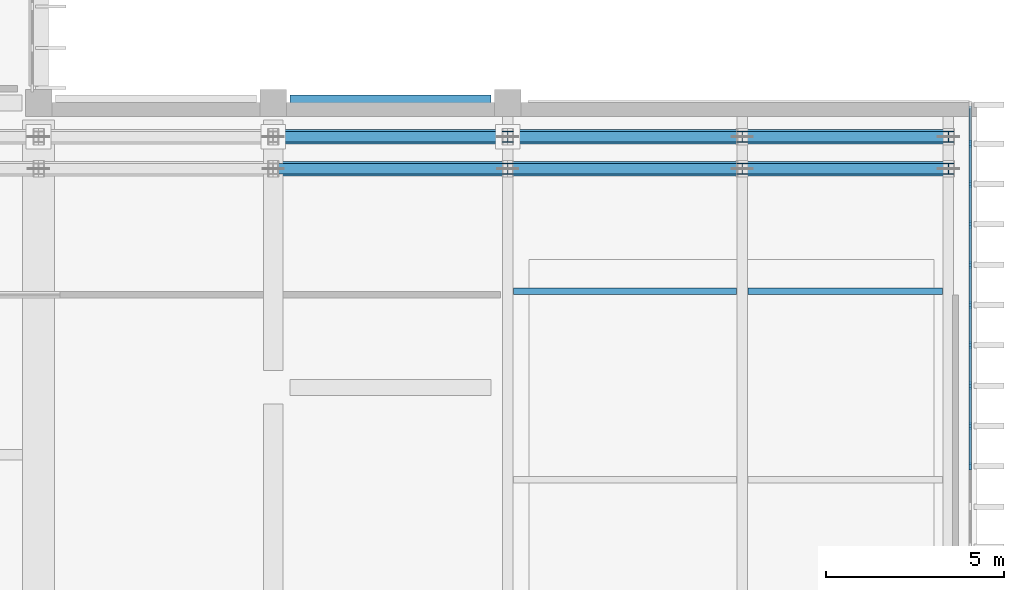
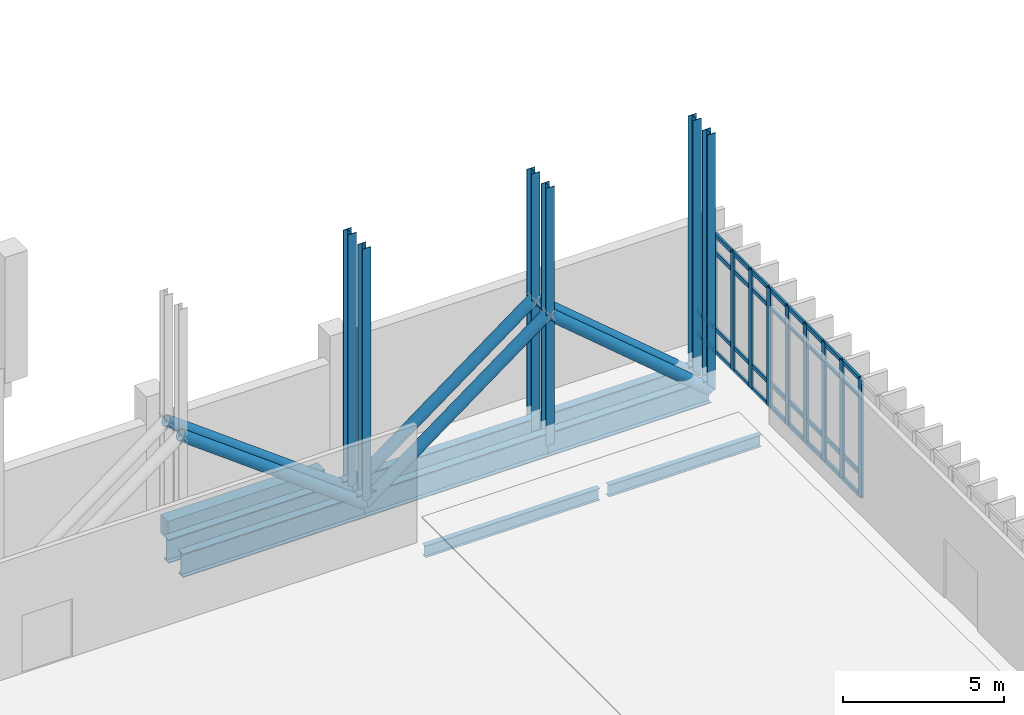
# One storey, part 34 of 73: 61 members, 3 beams, 1 element without a shape of its own.
"""IFC4 building model written with IfcOpenShell, lengths in metres."""

from ifc_helpers import new_model, si_unit, direction, frame, origin, origin_2d, place, context, subcontext, project, spatial, rectangle, hollow_circle, i_section, extrude, material, layer, layer_set, material_profile, profile_set, type_object, element, aggregate, save


model = new_model("IFC4")

# Units and contexts
model_context = context("Model", 3, precision=1e-05, world=origin(), true_north=direction((0.0, 1.0)))
body_context = subcontext(model_context, "Body", "Model", "MODEL_VIEW")
ifc_project = project(units=[si_unit("LENGTHUNIT", "METRE"), si_unit("AREAUNIT", "SQUARE_METRE"), si_unit("VOLUMEUNIT", "CUBIC_METRE"), si_unit("PLANEANGLEUNIT", "RADIAN"), si_unit("MASSUNIT", "GRAM", prefix="KILO")], contexts=[model_context])

# Site, building, storey
site_placement = place(None, origin())
site = spatial("IfcSite", under=ifc_project, at=site_placement, CompositionType="ELEMENT")
building_placement = place(site_placement, origin())
building = spatial("IfcBuilding", under=site, at=building_placement, Name="Kelarvand Opera House", CompositionType="ELEMENT")
storey_placement = place(building_placement, frame((0.0, 0.0, 10.199951171875)))
storey = spatial("IfcBuildingStorey", under=building, at=storey_placement, Name="L02", CompositionType="ELEMENT", Elevation=10.199951171875)

# Curtain wall, members
ifc_material_1 = material(Name="Thermally broken aluminium and low-E glazing", Category="aluminium")
ifc_layer = layer(ifc_material_1, 0.219970703125, Name="Thermally broken aluminium and low-E glazing", Category="aluminium")
ifc_layer_set = layer_set([ifc_layer], Name="Thermally broken aluminium and low-E glazing")
curtain_wall_type = type_object("IfcCurtainWallType", Name="Unitised Low-E Curtain Wall 15886x4500 Mod 1150 CWF-06", PredefinedType="USERDEFINED", material=ifc_layer_set)
curtain_wall_placement = place(storey_placement, origin())
curtain_wall = element("IfcCurtainWall", 1, at=curtain_wall_placement, inside=storey, type_object=curtain_wall_type, Name="V1 L02 Curtain Wall CWF-06 (17)", ObjectType="UNITISED CURTAIN WALL", PredefinedType="USERDEFINED")
ifc_material_2 = material(Name="Thermally broken anodised aluminium", Category="aluminium")
ifc_material_profile_1 = material_profile(ifc_material_2, rectangle(XDim=0.074951171875, YDim=0.219970703125, at=origin_2d()), Name="ALU MULLION 75x220", Category="aluminium")
ifc_profile_set_1 = profile_set([ifc_material_profile_1], Name="Thermally broken anodised aluminium")
member_type_1 = type_object("IfcMemberType", Name="Curtain Wall Mullion 75x220 Heavy Plaza", PredefinedType="MULLION", material=ifc_profile_set_1)
member_1_placement = place(storey_placement, frame((154.820068359375, 77.25537109375, 0.0), z_axis=(0.0, 0.0, 1.0), x_axis=(1.0, 0.0, 0.0)))
member_1 = element("IfcMember", 2, at=member_1_placement, type_object=member_type_1, Name="CWF-06 mullion 2", PredefinedType="MULLION", context=body_context, shape_type="SweptSolid", body=[
    extrude(rectangle(XDim=0.074951171875, YDim=0.219970703125, at=origin_2d()), origin(), (0.0, 0.0, 1.0), 4.5),
])
member_2_placement = place(storey_placement, frame((154.820068359375, 76.12060546875, 0.0), z_axis=(0.0, 0.0, 1.0), x_axis=(1.0, 0.0, 0.0)))
member_2 = element("IfcMember", 3, at=member_2_placement, type_object=member_type_1, Name="CWF-06 mullion 3", PredefinedType="MULLION", context=body_context, shape_type="SweptSolid", body=[
    extrude(rectangle(XDim=0.074951171875, YDim=0.219970703125, at=origin_2d()), origin(), (0.0, 0.0, 1.0), 4.5),
])
member_3_placement = place(storey_placement, frame((154.820068359375, 74.98583984375, 0.0), z_axis=(0.0, 0.0, 1.0), x_axis=(1.0, 0.0, 0.0)))
member_3 = element("IfcMember", 4, at=member_3_placement, type_object=member_type_1, Name="CWF-06 mullion 4", PredefinedType="MULLION", context=body_context, shape_type="SweptSolid", body=[
    extrude(rectangle(XDim=0.074951171875, YDim=0.219970703125, at=origin_2d()), origin(), (0.0, 0.0, 1.0), 4.5),
])
member_4_placement = place(storey_placement, frame((154.820068359375, 73.85107421875, 0.0), z_axis=(0.0, 0.0, 1.0), x_axis=(1.0, 0.0, 0.0)))
member_4 = element("IfcMember", 5, at=member_4_placement, type_object=member_type_1, Name="CWF-06 mullion 5", PredefinedType="MULLION", context=body_context, shape_type="SweptSolid", body=[
    extrude(rectangle(XDim=0.074951171875, YDim=0.219970703125, at=origin_2d()), origin(), (0.0, 0.0, 1.0), 4.5),
])
member_5_placement = place(storey_placement, frame((154.820068359375, 72.71630859375, 0.0), z_axis=(0.0, 0.0, 1.0), x_axis=(1.0, 0.0, 0.0)))
member_5 = element("IfcMember", 6, at=member_5_placement, type_object=member_type_1, Name="CWF-06 mullion 6", PredefinedType="MULLION", context=body_context, shape_type="SweptSolid", body=[
    extrude(rectangle(XDim=0.074951171875, YDim=0.219970703125, at=origin_2d()), origin(), (0.0, 0.0, 1.0), 4.5),
])
member_6_placement = place(storey_placement, frame((154.820068359375, 71.581787109375, 0.0), z_axis=(0.0, 0.0, 1.0), x_axis=(1.0, 0.0, 0.0)))
member_6 = element("IfcMember", 7, at=member_6_placement, type_object=member_type_1, Name="CWF-06 mullion 7", PredefinedType="MULLION", context=body_context, shape_type="SweptSolid", body=[
    extrude(rectangle(XDim=0.074951171875, YDim=0.219970703125, at=origin_2d()), origin(), (0.0, 0.0, 1.0), 4.5),
])
member_7_placement = place(storey_placement, frame((154.820068359375, 70.447021484375, 0.0), z_axis=(0.0, 0.0, 1.0), x_axis=(1.0, 0.0, 0.0)))
member_7 = element("IfcMember", 8, at=member_7_placement, type_object=member_type_1, Name="CWF-06 mullion 8", PredefinedType="MULLION", context=body_context, shape_type="SweptSolid", body=[
    extrude(rectangle(XDim=0.074951171875, YDim=0.219970703125, at=origin_2d()), origin(), (0.0, 0.0, 1.0), 4.5),
])
member_8_placement = place(storey_placement, frame((154.820068359375, 69.312255859375, 0.0), z_axis=(0.0, 0.0, 1.0), x_axis=(1.0, 0.0, 0.0)))
member_8 = element("IfcMember", 9, at=member_8_placement, type_object=member_type_1, Name="CWF-06 mullion 9", PredefinedType="MULLION", context=body_context, shape_type="SweptSolid", body=[
    extrude(rectangle(XDim=0.074951171875, YDim=0.219970703125, at=origin_2d()), origin(), (0.0, 0.0, 1.0), 4.5),
])
member_9_placement = place(storey_placement, frame((154.820068359375, 68.177490234375, 0.0), z_axis=(0.0, 0.0, 1.0), x_axis=(1.0, 0.0, 0.0)))
member_9 = element("IfcMember", 10, at=member_9_placement, type_object=member_type_1, Name="CWF-06 mullion 10", PredefinedType="MULLION", context=body_context, shape_type="SweptSolid", body=[
    extrude(rectangle(XDim=0.074951171875, YDim=0.219970703125, at=origin_2d()), origin(), (0.0, 0.0, 1.0), 4.5),
])
ifc_material_profile_2 = material_profile(ifc_material_2, rectangle(XDim=0.074951171875, YDim=0.159912109375, at=origin_2d()), Name="ALU TRANSOM 75x160", Category="aluminium")
ifc_profile_set_2 = profile_set([ifc_material_profile_2], Name="Thermally broken anodised aluminium")
member_type_2 = type_object("IfcMemberType", Name="Curtain Wall Transom 75x160 Heavy Plaza", PredefinedType="USERDEFINED", material=ifc_profile_set_2)
member_10_placement = place(storey_placement, frame((154.820068359375, 78.31494140625, 0.03759765625), z_axis=(0.0, -1.0, 0.0), x_axis=(1.0, 0.0, 0.0)))
member_10 = element("IfcMember", 11, at=member_10_placement, type_object=member_type_2, Name="CWF-06 transom 1.1", ObjectType="TRANSOM", PredefinedType="USERDEFINED", context=body_context, shape_type="SweptSolid", body=[
    extrude(rectangle(XDim=0.074951171875, YDim=0.159912109375, at=origin_2d()), origin(), (0.0, 0.0, 1.0), 1.022216796875),
])
member_11_placement = place(storey_placement, frame((154.820068359375, 78.31494140625, 0.900146484375), z_axis=(0.0, -1.0, 0.0), x_axis=(1.0, 0.0, 0.0)))
member_11 = element("IfcMember", 12, at=member_11_placement, type_object=member_type_2, Name="CWF-06 transom 1.2", ObjectType="TRANSOM", PredefinedType="USERDEFINED", context=body_context, shape_type="SweptSolid", body=[
    extrude(rectangle(XDim=0.074951171875, YDim=0.159912109375, at=origin_2d()), origin(), (0.0, 0.0, 1.0), 1.022216796875),
])
member_12_placement = place(storey_placement, frame((154.820068359375, 77.2177734375, 0.03759765625), z_axis=(0.0, -1.0, 0.0), x_axis=(1.0, 0.0, 0.0)))
member_12 = element("IfcMember", 13, at=member_12_placement, type_object=member_type_2, Name="CWF-06 transom 2.1", ObjectType="TRANSOM", PredefinedType="USERDEFINED", context=body_context, shape_type="SweptSolid", body=[
    extrude(rectangle(XDim=0.074951171875, YDim=0.159912109375, at=origin_2d()), origin(), (0.0, 0.0, 1.0), 1.059814453125),
])
member_13_placement = place(storey_placement, frame((154.820068359375, 77.2177734375, 0.900146484375), z_axis=(0.0, -1.0, 0.0), x_axis=(1.0, 0.0, 0.0)))
member_13 = element("IfcMember", 14, at=member_13_placement, type_object=member_type_2, Name="CWF-06 transom 2.2", ObjectType="TRANSOM", PredefinedType="USERDEFINED", context=body_context, shape_type="SweptSolid", body=[
    extrude(rectangle(XDim=0.074951171875, YDim=0.159912109375, at=origin_2d()), origin(), (0.0, 0.0, 1.0), 1.059814453125),
])
member_14_placement = place(storey_placement, frame((154.820068359375, 77.2177734375, 3.800048828125), z_axis=(0.0, -1.0, 0.0), x_axis=(1.0, 0.0, 0.0)))
member_14 = element("IfcMember", 15, at=member_14_placement, type_object=member_type_2, Name="CWF-06 transom 2.3", ObjectType="TRANSOM", PredefinedType="USERDEFINED", context=body_context, shape_type="SweptSolid", body=[
    extrude(rectangle(XDim=0.074951171875, YDim=0.159912109375, at=origin_2d()), origin(), (0.0, 0.0, 1.0), 1.059814453125),
])
member_15_placement = place(storey_placement, frame((154.820068359375, 77.2177734375, 4.462646484375), z_axis=(0.0, -1.0, 0.0), x_axis=(1.0, 0.0, 0.0)))
member_15 = element("IfcMember", 16, at=member_15_placement, type_object=member_type_2, Name="CWF-06 transom 2.4", ObjectType="TRANSOM", PredefinedType="USERDEFINED", context=body_context, shape_type="SweptSolid", body=[
    extrude(rectangle(XDim=0.074951171875, YDim=0.159912109375, at=origin_2d()), origin(), (0.0, 0.0, 1.0), 1.059814453125),
])
member_16_placement = place(storey_placement, frame((154.820068359375, 76.0830078125, 0.03759765625), z_axis=(0.0, -1.0, 0.0), x_axis=(1.0, 0.0, 0.0)))
member_16 = element("IfcMember", 17, at=member_16_placement, type_object=member_type_2, Name="CWF-06 transom 3.1", ObjectType="TRANSOM", PredefinedType="USERDEFINED", context=body_context, shape_type="SweptSolid", body=[
    extrude(rectangle(XDim=0.074951171875, YDim=0.159912109375, at=origin_2d()), origin(), (0.0, 0.0, 1.0), 1.0595703125),
])
member_17_placement = place(storey_placement, frame((154.820068359375, 76.0830078125, 0.900146484375), z_axis=(0.0, -1.0, 0.0), x_axis=(1.0, 0.0, 0.0)))
member_17 = element("IfcMember", 18, at=member_17_placement, type_object=member_type_2, Name="CWF-06 transom 3.2", ObjectType="TRANSOM", PredefinedType="USERDEFINED", context=body_context, shape_type="SweptSolid", body=[
    extrude(rectangle(XDim=0.074951171875, YDim=0.159912109375, at=origin_2d()), origin(), (0.0, 0.0, 1.0), 1.0595703125),
])
member_18_placement = place(storey_placement, frame((154.820068359375, 76.0830078125, 3.800048828125), z_axis=(0.0, -1.0, 0.0), x_axis=(1.0, 0.0, 0.0)))
member_18 = element("IfcMember", 19, at=member_18_placement, type_object=member_type_2, Name="CWF-06 transom 3.3", ObjectType="TRANSOM", PredefinedType="USERDEFINED", context=body_context, shape_type="SweptSolid", body=[
    extrude(rectangle(XDim=0.074951171875, YDim=0.159912109375, at=origin_2d()), origin(), (0.0, 0.0, 1.0), 1.0595703125),
])
member_19_placement = place(storey_placement, frame((154.820068359375, 76.0830078125, 4.462646484375), z_axis=(0.0, -1.0, 0.0), x_axis=(1.0, 0.0, 0.0)))
member_19 = element("IfcMember", 20, at=member_19_placement, type_object=member_type_2, Name="CWF-06 transom 3.4", ObjectType="TRANSOM", PredefinedType="USERDEFINED", context=body_context, shape_type="SweptSolid", body=[
    extrude(rectangle(XDim=0.074951171875, YDim=0.159912109375, at=origin_2d()), origin(), (0.0, 0.0, 1.0), 1.0595703125),
])
member_20_placement = place(storey_placement, frame((154.820068359375, 74.9482421875, 0.03759765625), z_axis=(0.0, -1.0, 0.0), x_axis=(1.0, 0.0, 0.0)))
member_20 = element("IfcMember", 21, at=member_20_placement, type_object=member_type_2, Name="CWF-06 transom 4.1", ObjectType="TRANSOM", PredefinedType="USERDEFINED", context=body_context, shape_type="SweptSolid", body=[
    extrude(rectangle(XDim=0.074951171875, YDim=0.159912109375, at=origin_2d()), origin(), (0.0, 0.0, 1.0), 1.0595703125),
])
member_21_placement = place(storey_placement, frame((154.820068359375, 74.9482421875, 0.900146484375), z_axis=(0.0, -1.0, 0.0), x_axis=(1.0, 0.0, 0.0)))
member_21 = element("IfcMember", 22, at=member_21_placement, type_object=member_type_2, Name="CWF-06 transom 4.2", ObjectType="TRANSOM", PredefinedType="USERDEFINED", context=body_context, shape_type="SweptSolid", body=[
    extrude(rectangle(XDim=0.074951171875, YDim=0.159912109375, at=origin_2d()), origin(), (0.0, 0.0, 1.0), 1.0595703125),
])
member_22_placement = place(storey_placement, frame((154.820068359375, 74.9482421875, 3.800048828125), z_axis=(0.0, -1.0, 0.0), x_axis=(1.0, 0.0, 0.0)))
member_22 = element("IfcMember", 23, at=member_22_placement, type_object=member_type_2, Name="CWF-06 transom 4.3", ObjectType="TRANSOM", PredefinedType="USERDEFINED", context=body_context, shape_type="SweptSolid", body=[
    extrude(rectangle(XDim=0.074951171875, YDim=0.159912109375, at=origin_2d()), origin(), (0.0, 0.0, 1.0), 1.0595703125),
])
member_23_placement = place(storey_placement, frame((154.820068359375, 74.9482421875, 4.462646484375), z_axis=(0.0, -1.0, 0.0), x_axis=(1.0, 0.0, 0.0)))
member_23 = element("IfcMember", 24, at=member_23_placement, type_object=member_type_2, Name="CWF-06 transom 4.4", ObjectType="TRANSOM", PredefinedType="USERDEFINED", context=body_context, shape_type="SweptSolid", body=[
    extrude(rectangle(XDim=0.074951171875, YDim=0.159912109375, at=origin_2d()), origin(), (0.0, 0.0, 1.0), 1.0595703125),
])
member_24_placement = place(storey_placement, frame((154.820068359375, 73.813720703125, 0.03759765625), z_axis=(0.0, -1.0, 0.0), x_axis=(1.0, 0.0, 0.0)))
member_24 = element("IfcMember", 25, at=member_24_placement, type_object=member_type_2, Name="CWF-06 transom 5.1", ObjectType="TRANSOM", PredefinedType="USERDEFINED", context=body_context, shape_type="SweptSolid", body=[
    extrude(rectangle(XDim=0.074951171875, YDim=0.159912109375, at=origin_2d()), origin(), (0.0, 0.0, 1.0), 1.059814453125),
])
member_25_placement = place(storey_placement, frame((154.820068359375, 73.813720703125, 0.900146484375), z_axis=(0.0, -1.0, 0.0), x_axis=(1.0, 0.0, 0.0)))
member_25 = element("IfcMember", 26, at=member_25_placement, type_object=member_type_2, Name="CWF-06 transom 5.2", ObjectType="TRANSOM", PredefinedType="USERDEFINED", context=body_context, shape_type="SweptSolid", body=[
    extrude(rectangle(XDim=0.074951171875, YDim=0.159912109375, at=origin_2d()), origin(), (0.0, 0.0, 1.0), 1.059814453125),
])
member_26_placement = place(storey_placement, frame((154.820068359375, 73.813720703125, 3.800048828125), z_axis=(0.0, -1.0, 0.0), x_axis=(1.0, 0.0, 0.0)))
member_26 = element("IfcMember", 27, at=member_26_placement, type_object=member_type_2, Name="CWF-06 transom 5.3", ObjectType="TRANSOM", PredefinedType="USERDEFINED", context=body_context, shape_type="SweptSolid", body=[
    extrude(rectangle(XDim=0.074951171875, YDim=0.159912109375, at=origin_2d()), origin(), (0.0, 0.0, 1.0), 1.059814453125),
])
member_27_placement = place(storey_placement, frame((154.820068359375, 73.813720703125, 4.462646484375), z_axis=(0.0, -1.0, 0.0), x_axis=(1.0, 0.0, 0.0)))
member_27 = element("IfcMember", 28, at=member_27_placement, type_object=member_type_2, Name="CWF-06 transom 5.4", ObjectType="TRANSOM", PredefinedType="USERDEFINED", context=body_context, shape_type="SweptSolid", body=[
    extrude(rectangle(XDim=0.074951171875, YDim=0.159912109375, at=origin_2d()), origin(), (0.0, 0.0, 1.0), 1.059814453125),
])
member_28_placement = place(storey_placement, frame((154.820068359375, 72.678955078125, 0.03759765625), z_axis=(0.0, -1.0, 0.0), x_axis=(1.0, 0.0, 0.0)))
member_28 = element("IfcMember", 29, at=member_28_placement, type_object=member_type_2, Name="CWF-06 transom 6.1", ObjectType="TRANSOM", PredefinedType="USERDEFINED", context=body_context, shape_type="SweptSolid", body=[
    extrude(rectangle(XDim=0.074951171875, YDim=0.159912109375, at=origin_2d()), origin(), (0.0, 0.0, 1.0), 1.059814453125),
])
member_29_placement = place(storey_placement, frame((154.820068359375, 72.678955078125, 0.900146484375), z_axis=(0.0, -1.0, 0.0), x_axis=(1.0, 0.0, 0.0)))
member_29 = element("IfcMember", 30, at=member_29_placement, type_object=member_type_2, Name="CWF-06 transom 6.2", ObjectType="TRANSOM", PredefinedType="USERDEFINED", context=body_context, shape_type="SweptSolid", body=[
    extrude(rectangle(XDim=0.074951171875, YDim=0.159912109375, at=origin_2d()), origin(), (0.0, 0.0, 1.0), 1.059814453125),
])
member_30_placement = place(storey_placement, frame((154.820068359375, 72.678955078125, 3.800048828125), z_axis=(0.0, -1.0, 0.0), x_axis=(1.0, 0.0, 0.0)))
member_30 = element("IfcMember", 31, at=member_30_placement, type_object=member_type_2, Name="CWF-06 transom 6.3", ObjectType="TRANSOM", PredefinedType="USERDEFINED", context=body_context, shape_type="SweptSolid", body=[
    extrude(rectangle(XDim=0.074951171875, YDim=0.159912109375, at=origin_2d()), origin(), (0.0, 0.0, 1.0), 1.059814453125),
])
member_31_placement = place(storey_placement, frame((154.820068359375, 72.678955078125, 4.462646484375), z_axis=(0.0, -1.0, 0.0), x_axis=(1.0, 0.0, 0.0)))
member_31 = element("IfcMember", 32, at=member_31_placement, type_object=member_type_2, Name="CWF-06 transom 6.4", ObjectType="TRANSOM", PredefinedType="USERDEFINED", context=body_context, shape_type="SweptSolid", body=[
    extrude(rectangle(XDim=0.074951171875, YDim=0.159912109375, at=origin_2d()), origin(), (0.0, 0.0, 1.0), 1.059814453125),
])
member_32_placement = place(storey_placement, frame((154.820068359375, 71.544189453125, 0.03759765625), z_axis=(0.0, -1.0, 0.0), x_axis=(1.0, 0.0, 0.0)))
member_32 = element("IfcMember", 33, at=member_32_placement, type_object=member_type_2, Name="CWF-06 transom 7.1", ObjectType="TRANSOM", PredefinedType="USERDEFINED", context=body_context, shape_type="SweptSolid", body=[
    extrude(rectangle(XDim=0.074951171875, YDim=0.159912109375, at=origin_2d()), origin(), (0.0, 0.0, 1.0), 1.0595703125),
])
member_33_placement = place(storey_placement, frame((154.820068359375, 71.544189453125, 0.900146484375), z_axis=(0.0, -1.0, 0.0), x_axis=(1.0, 0.0, 0.0)))
member_33 = element("IfcMember", 34, at=member_33_placement, type_object=member_type_2, Name="CWF-06 transom 7.2", ObjectType="TRANSOM", PredefinedType="USERDEFINED", context=body_context, shape_type="SweptSolid", body=[
    extrude(rectangle(XDim=0.074951171875, YDim=0.159912109375, at=origin_2d()), origin(), (0.0, 0.0, 1.0), 1.0595703125),
])
member_34_placement = place(storey_placement, frame((154.820068359375, 71.544189453125, 3.800048828125), z_axis=(0.0, -1.0, 0.0), x_axis=(1.0, 0.0, 0.0)))
member_34 = element("IfcMember", 35, at=member_34_placement, type_object=member_type_2, Name="CWF-06 transom 7.3", ObjectType="TRANSOM", PredefinedType="USERDEFINED", context=body_context, shape_type="SweptSolid", body=[
    extrude(rectangle(XDim=0.074951171875, YDim=0.159912109375, at=origin_2d()), origin(), (0.0, 0.0, 1.0), 1.0595703125),
])
member_35_placement = place(storey_placement, frame((154.820068359375, 71.544189453125, 4.462646484375), z_axis=(0.0, -1.0, 0.0), x_axis=(1.0, 0.0, 0.0)))
member_35 = element("IfcMember", 36, at=member_35_placement, type_object=member_type_2, Name="CWF-06 transom 7.4", ObjectType="TRANSOM", PredefinedType="USERDEFINED", context=body_context, shape_type="SweptSolid", body=[
    extrude(rectangle(XDim=0.074951171875, YDim=0.159912109375, at=origin_2d()), origin(), (0.0, 0.0, 1.0), 1.0595703125),
])
member_36_placement = place(storey_placement, frame((154.820068359375, 70.409423828125, 0.03759765625), z_axis=(0.0, -1.0, 0.0), x_axis=(1.0, 0.0, 0.0)))
member_36 = element("IfcMember", 37, at=member_36_placement, type_object=member_type_2, Name="CWF-06 transom 8.1", ObjectType="TRANSOM", PredefinedType="USERDEFINED", context=body_context, shape_type="SweptSolid", body=[
    extrude(rectangle(XDim=0.074951171875, YDim=0.159912109375, at=origin_2d()), origin(), (0.0, 0.0, 1.0), 1.0595703125),
])
member_37_placement = place(storey_placement, frame((154.820068359375, 70.409423828125, 0.900146484375), z_axis=(0.0, -1.0, 0.0), x_axis=(1.0, 0.0, 0.0)))
member_37 = element("IfcMember", 38, at=member_37_placement, type_object=member_type_2, Name="CWF-06 transom 8.2", ObjectType="TRANSOM", PredefinedType="USERDEFINED", context=body_context, shape_type="SweptSolid", body=[
    extrude(rectangle(XDim=0.074951171875, YDim=0.159912109375, at=origin_2d()), origin(), (0.0, 0.0, 1.0), 1.0595703125),
])
member_38_placement = place(storey_placement, frame((154.820068359375, 70.409423828125, 3.800048828125), z_axis=(0.0, -1.0, 0.0), x_axis=(1.0, 0.0, 0.0)))
member_38 = element("IfcMember", 39, at=member_38_placement, type_object=member_type_2, Name="CWF-06 transom 8.3", ObjectType="TRANSOM", PredefinedType="USERDEFINED", context=body_context, shape_type="SweptSolid", body=[
    extrude(rectangle(XDim=0.074951171875, YDim=0.159912109375, at=origin_2d()), origin(), (0.0, 0.0, 1.0), 1.0595703125),
])
member_39_placement = place(storey_placement, frame((154.820068359375, 70.409423828125, 4.462646484375), z_axis=(0.0, -1.0, 0.0), x_axis=(1.0, 0.0, 0.0)))
member_39 = element("IfcMember", 40, at=member_39_placement, type_object=member_type_2, Name="CWF-06 transom 8.4", ObjectType="TRANSOM", PredefinedType="USERDEFINED", context=body_context, shape_type="SweptSolid", body=[
    extrude(rectangle(XDim=0.074951171875, YDim=0.159912109375, at=origin_2d()), origin(), (0.0, 0.0, 1.0), 1.0595703125),
])
member_40_placement = place(storey_placement, frame((154.820068359375, 69.27490234375, 0.03759765625), z_axis=(0.0, -1.0, 0.0), x_axis=(1.0, 0.0, 0.0)))
member_40 = element("IfcMember", 41, at=member_40_placement, type_object=member_type_2, Name="CWF-06 transom 9.1", ObjectType="TRANSOM", PredefinedType="USERDEFINED", context=body_context, shape_type="SweptSolid", body=[
    extrude(rectangle(XDim=0.074951171875, YDim=0.159912109375, at=origin_2d()), origin(), (0.0, 0.0, 1.0), 1.059814453125),
])
member_41_placement = place(storey_placement, frame((154.820068359375, 69.27490234375, 0.900146484375), z_axis=(0.0, -1.0, 0.0), x_axis=(1.0, 0.0, 0.0)))
member_41 = element("IfcMember", 42, at=member_41_placement, type_object=member_type_2, Name="CWF-06 transom 9.2", ObjectType="TRANSOM", PredefinedType="USERDEFINED", context=body_context, shape_type="SweptSolid", body=[
    extrude(rectangle(XDim=0.074951171875, YDim=0.159912109375, at=origin_2d()), origin(), (0.0, 0.0, 1.0), 1.059814453125),
])
member_42_placement = place(storey_placement, frame((154.820068359375, 69.27490234375, 3.800048828125), z_axis=(0.0, -1.0, 0.0), x_axis=(1.0, 0.0, 0.0)))
member_42 = element("IfcMember", 43, at=member_42_placement, type_object=member_type_2, Name="CWF-06 transom 9.3", ObjectType="TRANSOM", PredefinedType="USERDEFINED", context=body_context, shape_type="SweptSolid", body=[
    extrude(rectangle(XDim=0.074951171875, YDim=0.159912109375, at=origin_2d()), origin(), (0.0, 0.0, 1.0), 1.059814453125),
])
member_43_placement = place(storey_placement, frame((154.820068359375, 69.27490234375, 4.462646484375), z_axis=(0.0, -1.0, 0.0), x_axis=(1.0, 0.0, 0.0)))
member_43 = element("IfcMember", 44, at=member_43_placement, type_object=member_type_2, Name="CWF-06 transom 9.4", ObjectType="TRANSOM", PredefinedType="USERDEFINED", context=body_context, shape_type="SweptSolid", body=[
    extrude(rectangle(XDim=0.074951171875, YDim=0.159912109375, at=origin_2d()), origin(), (0.0, 0.0, 1.0), 1.059814453125),
])
aggregate(curtain_wall, [member_1, member_2, member_3, member_4, member_5, member_6, member_7, member_8, member_9, member_10, member_11, member_12, member_13, member_14, member_15, member_16, member_17, member_18, member_19, member_20, member_21, member_22, member_23, member_24, member_25, member_26, member_27, member_28, member_29, member_30, member_31, member_32, member_33, member_34, member_35, member_36, member_37, member_38, member_39, member_40, member_41, member_42, member_43])

# Beam
ifc_material_3 = material(Name="Concrete C40/50", Category="concrete")
ifc_material_profile_3 = material_profile(ifc_material_3, rectangle(XDim=0.449951171875, YDim=0.699951171875, at=origin_2d()), Name="RC 450x700", Category="concrete")
ifc_profile_set_3 = profile_set([ifc_material_profile_3], Name="Concrete C40/50")
beam_type_1 = type_object("IfcBeamType", Name="Structural Beam RC 450x700 BM-RC450x700", PredefinedType="BEAM", material=ifc_profile_set_3)
beam_1_placement = place(storey_placement, frame((135.675048828125, 78.39990234375, -0.669921875), z_axis=(1.0, 0.0, 0.0), x_axis=(0.0, 1.0, 0.0)))
element("IfcBeam", 45, at=beam_1_placement, inside=storey, type_object=beam_type_1, Name="V1 L02 Beam BM-RC450x700", PredefinedType="BEAM", context=body_context, shape_type="SweptSolid", body=[
    extrude(rectangle(XDim=0.449951171875, YDim=0.699951171875, at=origin_2d()), origin(), (0.0, 0.0, 1.0), 5.64990234375),
])

# Members
ifc_material_4 = material(Name="Steel S355", Category="steel")
ifc_material_profile_4 = material_profile(ifc_material_4, hollow_circle(Radius=0.203125, WallThickness=0.02001953125, at=origin_2d()), Name="CHS 406.4x20.0", Category="steel")
ifc_profile_set_4 = profile_set([ifc_material_profile_4], Name="Steel S355")
member_type_3 = type_object("IfcMemberType", Name="Structural Brace CHS 406.4x20.0 BR-CHS406", PredefinedType="BRACE", material=ifc_profile_set_4)
member_44_placement = place(storey_placement, frame((135.199951171875, 76.550048828125, 4.130126953125), z_axis=(0.802905894213, 0.0, -0.596105800205), x_axis=(0.0, 1.0, 0.0)))
element("IfcMember", 46, at=member_44_placement, inside=storey, type_object=member_type_3, Name="Cantilever Truss CT3 Lower Diagonal 4", PredefinedType="BRACE", context=body_context, shape_type="SweptSolid", body=[
    extrude(hollow_circle(Radius=0.203125, WallThickness=0.02001953125, at=origin_2d()), origin(), (0.0, 0.0, 1.0), 8.22021484375),
])
member_45_placement = place(storey_placement, frame((141.800048828125, 76.550048828125, -0.77001953125), z_axis=(0.802895340226, 0.0, 0.596120015302), x_axis=(0.0, 1.0, 0.0)))
element("IfcMember", 47, at=member_45_placement, inside=storey, type_object=member_type_3, Name="Cantilever Truss CT3 Lower Diagonal 5", PredefinedType="BRACE", context=body_context, shape_type="SweptSolid", body=[
    extrude(hollow_circle(Radius=0.203125, WallThickness=0.02001953125, at=origin_2d()), origin(), (0.0, 0.0, 1.0), 8.219970703125),
])
member_46_placement = place(storey_placement, frame((148.39990234375, 76.550048828125, 4.130126953125), z_axis=(0.763878793161, 0.0, -0.645359736395), x_axis=(0.0, 1.0, 0.0)))
element("IfcMember", 48, at=member_46_placement, inside=storey, type_object=member_type_3, Name="Cantilever Truss CT3 Lower Diagonal 6", PredefinedType="BRACE", context=body_context, shape_type="SweptSolid", body=[
    extrude(hollow_circle(Radius=0.203125, WallThickness=0.02001953125, at=origin_2d()), origin(), (0.0, 0.0, 1.0), 7.5927734375),
])
member_47_placement = place(storey_placement, frame((135.199951171875, 77.449951171875, 4.130126953125), z_axis=(0.802905894213, 0.0, -0.596105800205), x_axis=(0.0, 1.0, 0.0)))
element("IfcMember", 49, at=member_47_placement, inside=storey, type_object=member_type_3, Name="Cantilever Truss CT4 Lower Diagonal 4", PredefinedType="BRACE", context=body_context, shape_type="SweptSolid", body=[
    extrude(hollow_circle(Radius=0.203125, WallThickness=0.02001953125, at=origin_2d()), origin(), (0.0, 0.0, 1.0), 8.22021484375),
])
member_48_placement = place(storey_placement, frame((141.800048828125, 77.449951171875, -0.77001953125), z_axis=(0.802895340226, 0.0, 0.596120015302), x_axis=(0.0, 1.0, 0.0)))
element("IfcMember", 50, at=member_48_placement, inside=storey, type_object=member_type_3, Name="Cantilever Truss CT4 Lower Diagonal 5", PredefinedType="BRACE", context=body_context, shape_type="SweptSolid", body=[
    extrude(hollow_circle(Radius=0.203125, WallThickness=0.02001953125, at=origin_2d()), origin(), (0.0, 0.0, 1.0), 8.219970703125),
])
member_49_placement = place(storey_placement, frame((148.39990234375, 77.449951171875, 4.130126953125), z_axis=(0.763878793161, 0.0, -0.645359736395), x_axis=(0.0, 1.0, 0.0)))
element("IfcMember", 51, at=member_49_placement, inside=storey, type_object=member_type_3, Name="Cantilever Truss CT4 Lower Diagonal 6", PredefinedType="BRACE", context=body_context, shape_type="SweptSolid", body=[
    extrude(hollow_circle(Radius=0.203125, WallThickness=0.02001953125, at=origin_2d()), origin(), (0.0, 0.0, 1.0), 7.5927734375),
])
ifc_material_profile_5 = material_profile(ifc_material_4, i_section(OverallWidth=0.300048828125, OverallDepth=0.89990234375, WebThickness=0.0185546875, FlangeThickness=0.034912109375, at=origin_2d()), Name="HEB 900", Category="steel")
ifc_profile_set_5 = profile_set([ifc_material_profile_5], Name="Steel S355")
member_type_4 = type_object("IfcMemberType", Name="Structural Chord HEB 900 CH-HEB900", PredefinedType="CHORD", material=ifc_profile_set_5)
member_50_placement = place(storey_placement, frame((135.199951171875, 76.550048828125, -0.77001953125), z_axis=(1.0, 0.0, 0.0), x_axis=(0.0, 1.0, 0.0)))
element("IfcMember", 52, at=member_50_placement, inside=storey, type_object=member_type_4, Name="Cantilever Truss CT3 Bottom Chord 4", PredefinedType="CHORD", context=body_context, shape_type="SweptSolid", body=[
    extrude(i_section(OverallWidth=0.300048828125, OverallDepth=0.89990234375, WebThickness=0.0185546875, FlangeThickness=0.034912109375, at=origin_2d()), origin(), (0.0, 0.0, 1.0), 6.60009765625),
])
member_51_placement = place(storey_placement, frame((141.800048828125, 76.550048828125, -0.77001953125), z_axis=(1.0, 0.0, 0.0), x_axis=(0.0, 1.0, 0.0)))
element("IfcMember", 53, at=member_51_placement, inside=storey, type_object=member_type_4, Name="Cantilever Truss CT3 Bottom Chord 5", PredefinedType="CHORD", context=body_context, shape_type="SweptSolid", body=[
    extrude(i_section(OverallWidth=0.300048828125, OverallDepth=0.89990234375, WebThickness=0.0185546875, FlangeThickness=0.034912109375, at=origin_2d()), origin(), (0.0, 0.0, 1.0), 6.599853515625),
])
member_52_placement = place(storey_placement, frame((148.39990234375, 76.550048828125, -0.77001953125), z_axis=(1.0, 0.0, 0.0), x_axis=(0.0, 1.0, 0.0)))
element("IfcMember", 54, at=member_52_placement, inside=storey, type_object=member_type_4, Name="Cantilever Truss CT3 Bottom Chord 6", PredefinedType="CHORD", context=body_context, shape_type="SweptSolid", body=[
    extrude(i_section(OverallWidth=0.300048828125, OverallDepth=0.89990234375, WebThickness=0.0185546875, FlangeThickness=0.034912109375, at=origin_2d()), origin(), (0.0, 0.0, 1.0), 5.800048828125),
])
member_53_placement = place(storey_placement, frame((135.199951171875, 77.449951171875, -0.77001953125), z_axis=(1.0, 0.0, 0.0), x_axis=(0.0, 1.0, 0.0)))
element("IfcMember", 55, at=member_53_placement, inside=storey, type_object=member_type_4, Name="Cantilever Truss CT4 Bottom Chord 4", PredefinedType="CHORD", context=body_context, shape_type="SweptSolid", body=[
    extrude(i_section(OverallWidth=0.300048828125, OverallDepth=0.89990234375, WebThickness=0.0185546875, FlangeThickness=0.034912109375, at=origin_2d()), origin(), (0.0, 0.0, 1.0), 6.60009765625),
])
member_54_placement = place(storey_placement, frame((141.800048828125, 77.449951171875, -0.77001953125), z_axis=(1.0, 0.0, 0.0), x_axis=(0.0, 1.0, 0.0)))
element("IfcMember", 56, at=member_54_placement, inside=storey, type_object=member_type_4, Name="Cantilever Truss CT4 Bottom Chord 5", PredefinedType="CHORD", context=body_context, shape_type="SweptSolid", body=[
    extrude(i_section(OverallWidth=0.300048828125, OverallDepth=0.89990234375, WebThickness=0.0185546875, FlangeThickness=0.034912109375, at=origin_2d()), origin(), (0.0, 0.0, 1.0), 6.599853515625),
])
member_55_placement = place(storey_placement, frame((148.39990234375, 77.449951171875, -0.77001953125), z_axis=(1.0, 0.0, 0.0), x_axis=(0.0, 1.0, 0.0)))
element("IfcMember", 57, at=member_55_placement, inside=storey, type_object=member_type_4, Name="Cantilever Truss CT4 Bottom Chord 6", PredefinedType="CHORD", context=body_context, shape_type="SweptSolid", body=[
    extrude(i_section(OverallWidth=0.300048828125, OverallDepth=0.89990234375, WebThickness=0.0185546875, FlangeThickness=0.034912109375, at=origin_2d()), origin(), (0.0, 0.0, 1.0), 5.800048828125),
])

# Beams
ifc_material_profile_6 = material_profile(ifc_material_4, i_section(OverallWidth=0.18994140625, OverallDepth=0.449951171875, WebThickness=0.009521484375, FlangeThickness=0.0146484375, at=origin_2d()), Name="IPE 450", Category="steel")
ifc_profile_set_6 = profile_set([ifc_material_profile_6], Name="Steel S355")
beam_type_2 = type_object("IfcBeamType", Name="Structural Joist IPE 450 JS-IPE450", PredefinedType="JOIST", material=ifc_profile_set_6)
beam_2_placement = place(storey_placement, frame((141.9599609375, 73.10009765625, -0.544921875), z_axis=(1.0, 0.0, 0.0), x_axis=(0.0, 1.0, 0.0)))
element("IfcBeam", 58, at=beam_2_placement, inside=storey, type_object=beam_type_2, Name="V1 L02 Beam JS-IPE450", PredefinedType="JOIST", context=body_context, shape_type="SweptSolid", body=[
    extrude(i_section(OverallWidth=0.18994140625, OverallDepth=0.449951171875, WebThickness=0.009521484375, FlangeThickness=0.0146484375, at=origin_2d()), origin(), (0.0, 0.0, 1.0), 6.280029296875),
])
beam_3_placement = place(storey_placement, frame((148.56005859375, 73.10009765625, -0.544921875), z_axis=(1.0, 0.0, 0.0), x_axis=(0.0, 1.0, 0.0)))
element("IfcBeam", 59, at=beam_3_placement, inside=storey, type_object=beam_type_2, Name="V1 L02 Beam JS-IPE450", PredefinedType="JOIST", context=body_context, shape_type="SweptSolid", body=[
    extrude(i_section(OverallWidth=0.18994140625, OverallDepth=0.449951171875, WebThickness=0.009521484375, FlangeThickness=0.0146484375, at=origin_2d()), origin(), (0.0, 0.0, 1.0), 5.47998046875),
])

# Members
ifc_material_profile_7 = material_profile(ifc_material_4, i_section(OverallWidth=0.300048828125, OverallDepth=0.320068359375, WebThickness=0.011474609375, FlangeThickness=0.0205078125, at=origin_2d()), Name="HEB 320", Category="steel")
ifc_profile_set_7 = profile_set([ifc_material_profile_7], Name="Steel S355")
member_type_5 = type_object("IfcMemberType", Name="Structural Post HEB 320 PS-HEB320", PredefinedType="POST", material=ifc_profile_set_7)
for number, where, z_axis, x_axis, name in (
    (60, (141.800048828125, 76.550048828125, -0.77001953125), (0.0, 0.0, 1.0), (1.0, 0.0, 0.0), "Cantilever Truss CT3 Vertical Post 5"),
    (61, (148.39990234375, 76.550048828125, -0.77001953125), (0.0, 0.0, 1.0), (1.0, 0.0, 0.0), "Cantilever Truss CT3 Vertical Post 6"),
    (62, (154.199951171875, 76.550048828125, -0.77001953125), (0.0, 0.0, 1.0), (1.0, 0.0, 0.0), "Cantilever Truss CT3 Vertical Post 7"),
    (63, (141.800048828125, 77.449951171875, -0.77001953125), (0.0, 0.0, 1.0), (1.0, 0.0, 0.0), "Cantilever Truss CT4 Vertical Post 5"),
    (64, (148.39990234375, 77.449951171875, -0.77001953125), (0.0, 0.0, 1.0), (1.0, 0.0, 0.0), "Cantilever Truss CT4 Vertical Post 6"),
    (65, (154.199951171875, 77.449951171875, -0.77001953125), (0.0, 0.0, 1.0), (1.0, 0.0, 0.0), "Cantilever Truss CT4 Vertical Post 7"),
):
    element("IfcMember", number, at=place(storey_placement, frame(where, z_axis=z_axis, x_axis=x_axis)), inside=storey, type_object=member_type_5, Name=name, PredefinedType="POST", context=body_context, shape_type="SweptSolid", body=[
        extrude(i_section(OverallWidth=0.300048828125, OverallDepth=0.320068359375, WebThickness=0.011474609375, FlangeThickness=0.0205078125, at=origin_2d()), origin(), (0.0, 0.0, 1.0), 9.7900390625),
    ])

save(model, "model.ifc")
